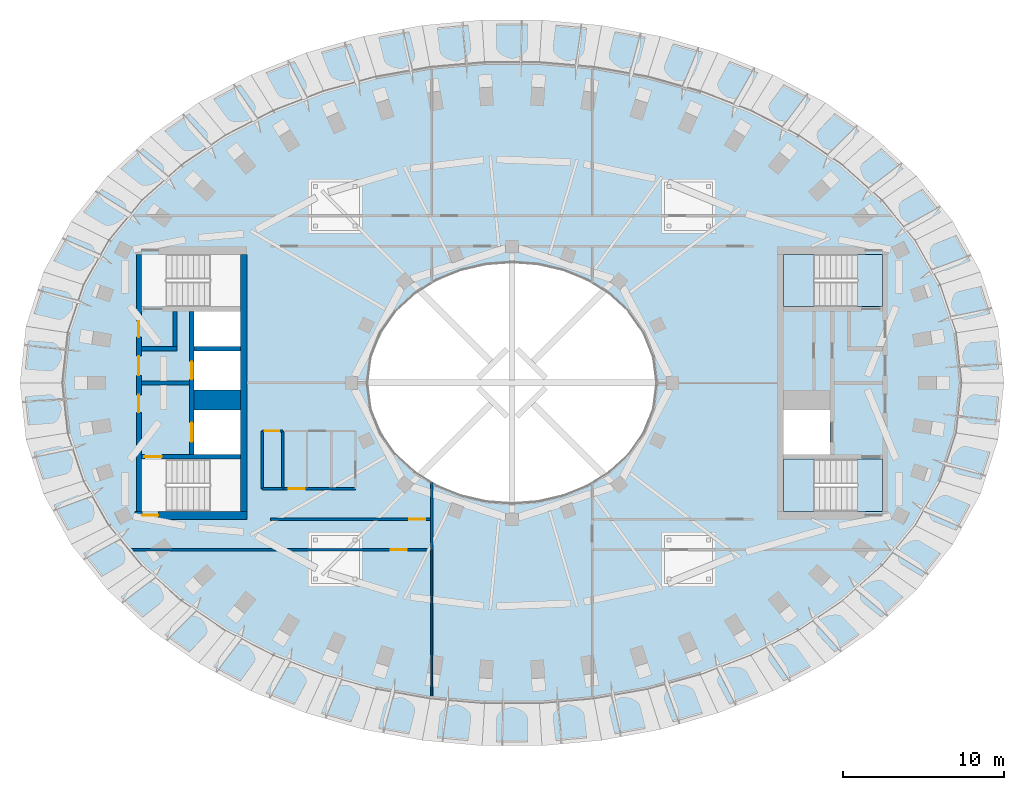
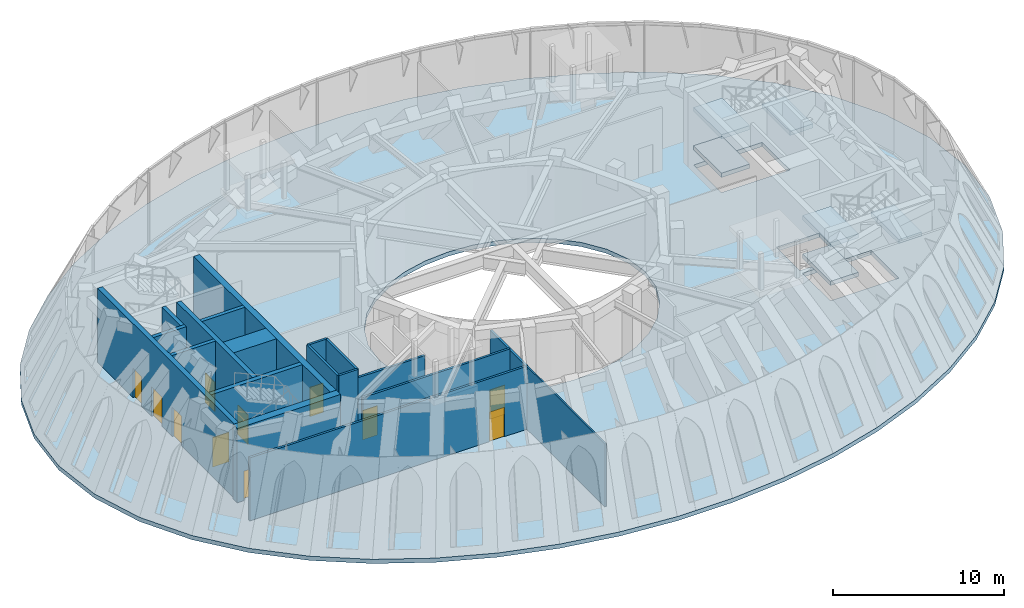
# One storey, part 3 of 13: 19 walls, 11 doors, 7 slabs, 11 openings, 2 elements without a shape of their own.
"""IFC4 building model written with IfcOpenShell, lengths in metres."""

from ifc_helpers import new_model, si_unit, direction, frame, frame_2d, origin, place, context, subcontext, project, spatial, polyline, rectangle, outline, extrude, material, layer, layer_set, type_object, element, fill, aggregate, save


model = new_model("IFC4")

# Units and contexts
model_context = context("Model", 3, precision=1e-05, world=origin(), true_north=direction((0.0, 1.0)))
body_context = subcontext(model_context, "Body", "Model", "MODEL_VIEW")
ifc_project = project(units=[si_unit("LENGTHUNIT", "METRE"), si_unit("AREAUNIT", "SQUARE_METRE"), si_unit("VOLUMEUNIT", "CUBIC_METRE"), si_unit("PLANEANGLEUNIT", "RADIAN"), si_unit("MASSUNIT", "GRAM", prefix="KILO")], contexts=[model_context])

# Site, building, storey
site_placement = place(None, origin())
site = spatial("IfcSite", under=ifc_project, at=site_placement, CompositionType="ELEMENT")
building_placement = place(site_placement, origin())
building = spatial("IfcBuilding", under=site, at=building_placement, Name="Noorbagh Ring Tower", CompositionType="ELEMENT")
storey_placement = place(building_placement, frame((0.0, 0.0, 351.0)))
storey = spatial("IfcBuildingStorey", under=building, at=storey_placement, Name="L77", CompositionType="ELEMENT", Elevation=351.0)

# Stair, slabs
ifc_material_1 = material(Name="Concrete C40/50", Category="concrete")
stair_type = type_object("IfcStairType", Name="CORE-STAIR", PredefinedType="HALF_TURN_STAIR", material=ifc_material_1)
stair_1_placement = place(storey_placement, origin())
stair_1 = element("IfcStair", 1, at=stair_1_placement, inside=storey, type_object=stair_type, Name="L77 Exit stair ST3", PredefinedType="HALF_TURN_STAIR")
ifc_material_2 = material(Name="Concrete C40/50", Category="concrete")
ifc_layer_1 = layer(ifc_material_2, 0.300048828125)
ifc_layer_set_1 = layer_set([ifc_layer_1], Name="Concrete C40/50")
slab_type_1 = type_object("IfcSlabType", Name="CORE-STAIR-LANDING", PredefinedType="LANDING", material=ifc_layer_set_1)
slab_1_placement = place(storey_placement, frame((0.0, 0.0, 1.074951171875)))
slab_1 = element("IfcSlab", 2, at=slab_1_placement, type_object=slab_type_1, Name="ST3 landing 1", PredefinedType="LANDING", context=body_context, shape_type="SweptSolid", body=[
    extrude(outline(polyline([(18.81005859375, 8.0), (16.89990234375, 8.0), (16.89990234375, 4.75), (18.81005859375, 4.75), (18.81005859375, 8.0)])), origin(), (0.0, 0.0, 1.0), 0.300048828125),
])
slab_2_placement = place(storey_placement, frame((0.0, 0.0, 2.449951171875)))
slab_2 = element("IfcSlab", 3, at=slab_2_placement, type_object=slab_type_1, Name="ST3 landing 2", PredefinedType="LANDING", context=body_context, shape_type="SweptSolid", body=[
    extrude(outline(polyline([(23.080078125, 8.0), (21.530029296875, 8.0), (21.530029296875, 4.75), (23.080078125, 4.75), (23.080078125, 8.0)])), origin(), (0.0, 0.0, 1.0), 0.300048828125),
])
slab_3_placement = place(storey_placement, frame((0.0, 0.0, 3.824951171875)))
slab_3 = element("IfcSlab", 4, at=slab_3_placement, type_object=slab_type_1, Name="ST3 landing 3", PredefinedType="LANDING", context=body_context, shape_type="SweptSolid", body=[
    extrude(outline(polyline([(18.81005859375, 8.0), (16.89990234375, 8.0), (16.89990234375, 4.75), (18.81005859375, 4.75), (18.81005859375, 8.0)])), origin(), (0.0, 0.0, 1.0), 0.300048828125),
])
aggregate(stair_1, [slab_1, slab_2, slab_3])

stair_2_placement = place(storey_placement, origin())
stair_2 = element("IfcStair", 5, at=stair_2_placement, inside=storey, type_object=stair_type, Name="L77 Exit stair ST4", PredefinedType="HALF_TURN_STAIR")
slab_4_placement = place(storey_placement, frame((0.0, 0.0, 1.074951171875)))
slab_4 = element("IfcSlab", 6, at=slab_4_placement, type_object=slab_type_1, Name="ST4 landing 1", PredefinedType="LANDING", context=body_context, shape_type="SweptSolid", body=[
    extrude(outline(polyline([(18.81005859375, -4.75), (16.89990234375, -4.75), (16.89990234375, -8.0), (18.81005859375, -8.0), (18.81005859375, -4.75)])), origin(), (0.0, 0.0, 1.0), 0.300048828125),
])
slab_5_placement = place(storey_placement, frame((0.0, 0.0, 2.449951171875)))
slab_5 = element("IfcSlab", 7, at=slab_5_placement, type_object=slab_type_1, Name="ST4 landing 2", PredefinedType="LANDING", context=body_context, shape_type="SweptSolid", body=[
    extrude(outline(polyline([(23.080078125, -4.75), (21.530029296875, -4.75), (21.530029296875, -8.0), (23.080078125, -8.0), (23.080078125, -4.75)])), origin(), (0.0, 0.0, 1.0), 0.300048828125),
])
slab_6_placement = place(storey_placement, frame((0.0, 0.0, 3.824951171875)))
slab_6 = element("IfcSlab", 8, at=slab_6_placement, type_object=slab_type_1, Name="ST4 landing 3", PredefinedType="LANDING", context=body_context, shape_type="SweptSolid", body=[
    extrude(outline(polyline([(18.81005859375, -4.75), (16.89990234375, -4.75), (16.89990234375, -8.0), (18.81005859375, -8.0), (18.81005859375, -4.75)])), origin(), (0.0, 0.0, 1.0), 0.300048828125),
])
aggregate(stair_2, [slab_4, slab_5, slab_6])

# Slab
ifc_material_3 = material(Name="Concrete C40/50", Category="concrete")
ifc_layer_2 = layer(ifc_material_3, 0.300048828125)
ifc_layer_set_2 = layer_set([ifc_layer_2], Name="Concrete C40/50")
slab_type_2 = type_object("IfcSlabType", Name="STR-FLOOR-DECK-300", PredefinedType="FLOOR", material=ifc_layer_set_2)
slab_7_placement = place(storey_placement, frame((0.0, 0.0, -0.300048828125)))
element("IfcSlab", 9, at=slab_7_placement, inside=storey, type_object=slab_type_2, Name="L77/slab/1", PredefinedType="FLOOR", context=body_context, shape_type="SweptSolid", body=[
    extrude(outline(polyline([(30.64111328125, 0.0), (30.267578125, 3.5244140625), (29.177978515625, 6.91259765625), (27.45361328125, 10.054931640625), (25.2001953125, 12.879638671875), (22.523681640625, 15.35009765625), (19.518798828125, 17.452880859375), (16.263671875, 19.1884765625), (12.82275390625, 20.563232421875), (9.247802734375, 21.585205078125), (5.583251953125, 22.261962890625), (1.86669921875, 22.598876953125), (-1.86669921875, 22.598876953125), (-5.583251953125, 22.261962890625), (-9.247802734375, 21.585205078125), (-12.82275390625, 20.563232421875), (-16.263671875, 19.1884765625), (-19.518798828125, 17.452880859375), (-22.523681640625, 15.35009765625), (-25.2001953125, 12.879638671875), (-27.45361328125, 10.054931640625), (-29.177978515625, 6.91259765625), (-30.267578125, 3.5244140625), (-30.64111328125, 0.0), (-30.267578125, -3.5244140625), (-29.177978515625, -6.91259765625), (-27.45361328125, -10.054931640625), (-25.2001953125, -12.879638671875), (-22.523681640625, -15.35009765625), (-19.518798828125, -17.452880859375), (-16.263671875, -19.1884765625), (-12.82275390625, -20.563232421875), (-9.247802734375, -21.585205078125), (-5.583251953125, -22.261962890625), (-1.86669921875, -22.598876953125), (1.86669921875, -22.598876953125), (5.583251953125, -22.261962890625), (9.247802734375, -21.585205078125), (12.82275390625, -20.563232421875), (16.263671875, -19.1884765625), (19.518798828125, -17.452880859375), (22.523681640625, -15.35009765625), (25.2001953125, -12.879638671875), (27.45361328125, -10.054931640625), (29.177978515625, -6.91259765625), (30.267578125, -3.5244140625), (30.64111328125, 0.0)]), holes=[polyline([(21.529541015625, -4.75), (21.529541015625, -8.0), (16.89990234375, -8.0), (16.89990234375, -4.75), (21.529541015625, -4.75)]), polyline([(21.529541015625, 4.75), (16.89990234375, 4.75), (16.89990234375, 8.0), (21.529541015625, 8.0), (21.529541015625, 4.75)]), polyline([(16.89990234375, -4.449951171875), (16.89990234375, -1.699951171875), (19.800048828125, -1.699951171875), (19.800048828125, -4.449951171875), (16.89990234375, -4.449951171875)]), polyline([(6.071044921875, -5.53662109375), (4.697509765625, -6.3974609375), (3.196533203125, -7.010986328125), (1.6171875, -7.3779296875), (0.0, -7.5), (-1.6171875, -7.3779296875), (-3.196533203125, -7.010986328125), (-4.697509765625, -6.3974609375), (-6.071044921875, -5.53662109375), (-7.2587890625, -4.43408203125), (-8.1904296875, -3.10888671875), (-8.79150390625, -1.605224609375), (-9.0, 0.0), (-8.79150390625, 1.605224609375), (-8.1904296875, 3.10888671875), (-7.2587890625, 4.43408203125), (-6.071044921875, 5.53662109375), (-4.697509765625, 6.3974609375), (-3.196533203125, 7.010986328125), (-1.6171875, 7.3779296875), (0.0, 7.5), (1.6171875, 7.3779296875), (3.196533203125, 7.010986328125), (4.697509765625, 6.3974609375), (6.071044921875, 5.53662109375), (7.2587890625, 4.43408203125), (8.1904296875, 3.10888671875), (8.79150390625, 1.605224609375), (9.0, 0.0), (8.79150390625, -1.605224609375), (8.1904296875, -3.10888671875), (7.2587890625, -4.43408203125), (6.071044921875, -5.53662109375)]), polyline([(-21.529541015625, -8.0), (-21.529541015625, -4.75), (-16.89990234375, -4.75), (-16.89990234375, -8.0), (-21.529541015625, -8.0)]), polyline([(-21.529541015625, 8.0), (-16.89990234375, 8.0), (-16.89990234375, 4.75), (-21.529541015625, 4.75), (-21.529541015625, 8.0)]), polyline([(-16.89990234375, -1.699951171875), (-16.89990234375, -4.449951171875), (-19.800048828125, -4.449951171875), (-19.800048828125, -1.699951171875), (-16.89990234375, -1.699951171875)]), polyline([(-16.89990234375, 2.0), (-16.89990234375, -0.449951171875), (-19.800048828125, -0.449951171875), (-19.800048828125, 2.0), (-16.89990234375, 2.0)]), polyline([(-16.89990234375, 4.449951171875), (-16.89990234375, 2.25), (-19.800048828125, 2.25), (-19.800048828125, 4.449951171875), (-16.89990234375, 4.449951171875)])]), origin(), (0.0, 0.0, 1.0), 0.300048828125),
])

# Walls
ifc_material_4 = material(Name="Gypsum board on steel studs", Category="steel")
ifc_layer_3 = layer(ifc_material_4, 0.14990234375)
ifc_layer_set_3 = layer_set([ifc_layer_3], Name="Gypsum board on steel studs")
wall_type_1 = type_object("IfcWallType", Name="COMPARTMENT PARTITION 150 EI 60", PredefinedType="PARTITIONING", material=ifc_layer_set_3)
wall_1_placement = place(storey_placement, frame((-15.549072265625, -6.60009765625, 0.0), z_axis=(0.0, 0.0, 1.0), x_axis=(0.0, 1.0, 0.0)))
element("IfcWall", 10, at=wall_1_placement, inside=storey, type_object=wall_type_1, Name="L77/wall/P04", PredefinedType="PARTITIONING", context=body_context, shape_type="SweptSolid", body=[
    extrude(rectangle(XDim=3.59619140625, YDim=0.14990234375, at=frame_2d((1.798095703125, 0.0))), origin(), (0.0, 0.0, 1.0), 5.199951171875),
])
wall_2_placement = place(storey_placement, frame((-15.549072265625, -6.60009765625, 0.0), z_axis=(0.0, 0.0, 1.0), x_axis=(1.0, 0.0, 0.0)))
element("IfcWall", 11, at=wall_2_placement, inside=storey, type_object=wall_type_1, Name="L77/wall/P05", PredefinedType="PARTITIONING", context=body_context, shape_type="SweptSolid", body=[
    extrude(rectangle(XDim=1.276123046875, YDim=0.14990234375, at=frame_2d((0.63818359375, 0.0))), origin(), (0.0, 0.0, 1.0), 5.199951171875),
])

# Wall, opening, door
wall_3_placement = place(storey_placement, frame((-15.544921875, -3.0, 0.0), z_axis=(0.0, 0.0, 1.0), x_axis=(1.0, 0.0, 0.0)))
wall_3 = element("IfcWall", 12, at=wall_3_placement, inside=storey, type_object=wall_type_1, Name="L77/wall/P06", PredefinedType="PARTITIONING", context=body_context, shape_type="SweptSolid", body=[
    extrude(rectangle(XDim=1.27197265625, YDim=0.14990234375, at=frame_2d((0.635986328125, 0.0))), origin(), (0.0, 0.0, 1.0), 5.199951171875),
])
opening_1_placement = place(wall_3_placement, frame((0.14990234375, 0.0, 0.0)))
opening_1 = element("IfcOpeningElement", 13, at=opening_1_placement, cuts=wall_3, Name="Opening D4", PredefinedType="OPENING", context=body_context, shape_type="SweptSolid", body=[
    extrude(rectangle(XDim=0.89990234375, YDim=2.10009765625, at=frame_2d((0.449951171875, 1.050048828125))), frame((0.0, 0.0849609375, 0.0), z_axis=(0.0, -1.0, 0.0), x_axis=(1.0, 0.0, 0.0)), (0.0, 0.0, 1.0), 0.169921875),
])
ifc_material_5 = material(Name="Timber, painted", Category="wood")
door_type_1 = type_object("IfcDoorType", Name="DOOR 900 X 2100 FD60", OperationType="SINGLE_SWING_LEFT", PredefinedType="DOOR", material=ifc_material_5)
door_1_placement = place(opening_1_placement, origin())
door_1 = element("IfcDoor", 14, at=door_1_placement, inside=storey, type_object=door_type_1, Name="L77-D05", OperationType="SINGLE_SWING_LEFT", OverallHeight=2.10009765625, OverallWidth=0.89990234375, PredefinedType="DOOR", context=body_context, shape_type="SweptSolid", body=[
    extrude(rectangle(XDim=0.89990234375, YDim=2.10009765625, at=frame_2d((0.449951171875, 1.050048828125))), frame((0.0, 0.02490234375, 0.0), z_axis=(0.0, -1.0, 0.0), x_axis=(1.0, 0.0, 0.0)), (0.0, 0.0, 1.0), 0.050048828125),
])
fill(opening_1, door_1)

# Walls
wall_4_placement = place(storey_placement, frame((-14.27294921875, -6.60009765625, 0.0), z_axis=(0.0, 0.0, 1.0), x_axis=(0.0, 1.0, 0.0)))
element("IfcWall", 15, at=wall_4_placement, inside=storey, type_object=wall_type_1, Name="L77/wall/P09", PredefinedType="PARTITIONING", context=body_context, shape_type="SweptSolid", body=[
    extrude(rectangle(XDim=3.60009765625, YDim=0.14990234375, at=frame_2d((1.800048828125, 0.0))), origin(), (0.0, 0.0, 1.0), 5.199951171875),
])
ifc_material_6 = material(Name="Concrete C50/60", Category="concrete")
ifc_layer_4 = layer(ifc_material_6, 1.25)
ifc_layer_set_4 = layer_set([ifc_layer_4], Name="Concrete C50/60")
wall_type_2 = type_object("IfcWallType", Name="CORE-WALL-1250-C50-60-EI120", PredefinedType="SHEAR", material=ifc_layer_set_4)
wall_5_placement = place(storey_placement, frame((-16.89990234375, -1.074951171875, 0.0), z_axis=(0.0, 0.0, 1.0), x_axis=(-1.0, 0.0, 0.0)))
element("IfcWall", 16, at=wall_5_placement, inside=storey, type_object=wall_type_2, Name="Core wall W", PredefinedType="SHEAR", context=body_context, shape_type="SweptSolid", body=[
    extrude(rectangle(XDim=2.900146484375, YDim=1.25, at=frame_2d((1.4501953125, 0.0))), origin(), (0.0, 0.0, 1.0), 5.300048828125),
])
ifc_material_7 = material(Name="Concrete C50/60", Category="concrete")
ifc_layer_5 = layer(ifc_material_7, 0.25)
ifc_layer_set_5 = layer_set([ifc_layer_5], Name="Concrete C50/60")
wall_type_3 = type_object("IfcWallType", Name="CORE-WALL-250-C50-60-EI120", PredefinedType="SHEAR", material=ifc_layer_set_5)
wall_6_placement = place(storey_placement, frame((-16.89990234375, 2.125, 0.0), z_axis=(0.0, 0.0, 1.0), x_axis=(-1.0, 0.0, 0.0)))
element("IfcWall", 17, at=wall_6_placement, inside=storey, type_object=wall_type_3, Name="Core wall W", PredefinedType="SHEAR", context=body_context, shape_type="SweptSolid", body=[
    extrude(rectangle(XDim=2.900146484375, YDim=0.25, at=frame_2d((1.4501953125, 0.0))), origin(), (0.0, 0.0, 1.0), 5.300048828125),
])
ifc_material_8 = material(Name="Concrete C50/60", Category="concrete")
ifc_layer_6 = layer(ifc_material_8, 0.25)
ifc_layer_set_6 = layer_set([ifc_layer_6], Name="Concrete C50/60")
wall_type_4 = type_object("IfcWallType", Name="CORE-WALL-250-C50-60-EI240", PredefinedType="SHEAR", material=ifc_layer_set_6)
wall_7_placement = place(storey_placement, frame((-20.10009765625, 0.0, 0.0), z_axis=(0.0, 0.0, 1.0), x_axis=(-1.0, 0.0, 0.0)))
element("IfcWall", 18, at=wall_7_placement, inside=storey, type_object=wall_type_4, Name="Core wall W", PredefinedType="SHEAR", context=body_context, shape_type="SweptSolid", body=[
    extrude(rectangle(XDim=2.97998046875, YDim=0.25, at=frame_2d((1.489990234375, 0.0))), origin(), (0.0, 0.0, 1.0), 5.300048828125),
])
wall_8_placement = place(storey_placement, frame((-20.85009765625, 2.125, 0.0), z_axis=(0.0, 0.0, 1.0), x_axis=(-1.0, 0.0, 0.0)))
element("IfcWall", 19, at=wall_8_placement, inside=storey, type_object=wall_type_4, Name="Core wall W", PredefinedType="SHEAR", context=body_context, shape_type="SweptSolid", body=[
    extrude(rectangle(XDim=2.22998046875, YDim=0.25, at=frame_2d((1.114990234375, 0.0))), origin(), (0.0, 0.0, 1.0), 5.300048828125),
])
wall_9_placement = place(storey_placement, frame((-20.97509765625, 2.25, 0.0), z_axis=(0.0, 0.0, 1.0), x_axis=(0.0, 1.0, 0.0)))
element("IfcWall", 20, at=wall_9_placement, inside=storey, type_object=wall_type_4, Name="Core wall W", PredefinedType="SHEAR", context=body_context, shape_type="SweptSolid", body=[
    extrude(rectangle(XDim=2.199951171875, YDim=0.25, at=frame_2d((1.10009765625, 0.0))), origin(), (0.0, 0.0, 1.0), 5.300048828125),
])

# Wall, openings, doors
ifc_material_9 = material(Name="Concrete C50/60", Category="concrete")
ifc_layer_7 = layer(ifc_material_9, 0.300048828125)
ifc_layer_set_7 = layer_set([ifc_layer_7], Name="Concrete C50/60")
wall_type_5 = type_object("IfcWallType", Name="CORE-WALL-300-C50-60-EI120", PredefinedType="SHEAR", material=ifc_layer_set_7)
wall_10_placement = place(storey_placement, frame((-19.949951171875, -4.449951171875, 0.0), z_axis=(0.0, 0.0, 1.0), x_axis=(0.0, 1.0, 0.0)))
wall_10 = element("IfcWall", 21, at=wall_10_placement, inside=storey, type_object=wall_type_5, Name="Core wall W", PredefinedType="SHEAR", context=body_context, shape_type="SweptSolid", body=[
    extrude(rectangle(XDim=8.89990234375, YDim=0.300048828125, at=frame_2d((4.449951171875, 0.0))), origin(), (0.0, 0.0, 1.0), 5.300048828125),
])
opening_2_placement = place(wall_10_placement, frame((0.77490234375, 0.0, 0.0)))
opening_2 = element("IfcOpeningElement", 22, at=opening_2_placement, cuts=wall_10, Name="Opening L77-CW01", PredefinedType="OPENING", context=body_context, shape_type="SweptSolid", body=[
    extrude(rectangle(XDim=1.199951171875, YDim=2.10009765625, at=frame_2d((0.60009765625, 1.050048828125))), frame((0.0, 0.16015625, 0.0), z_axis=(0.0, -1.0, 0.0), x_axis=(1.0, 0.0, 0.0)), (0.0, 0.0, 1.0), 0.320068359375),
])
opening_3_placement = place(wall_10_placement, frame((4.675048828125, 0.0, 0.0)))
opening_3 = element("IfcOpeningElement", 23, at=opening_3_placement, cuts=wall_10, Name="Opening L77-CW02", PredefinedType="OPENING", context=body_context, shape_type="SweptSolid", body=[
    extrude(rectangle(XDim=1.10009765625, YDim=2.10009765625, at=frame_2d((0.550048828125, 1.050048828125))), frame((0.0, 0.16015625, 0.0), z_axis=(0.0, -1.0, 0.0), x_axis=(1.0, 0.0, 0.0)), (0.0, 0.0, 1.0), 0.320068359375),
])
ifc_material_10 = material(Name="Steel door leaf", Category="steel")
door_type_2 = type_object("IfcDoorType", Name="CORE-DOOR-LD", OperationType="DOUBLE_DOOR_SLIDING", PredefinedType="DOOR", material=ifc_material_10)
door_2_placement = place(opening_3_placement, origin())
door_2 = element("IfcDoor", 24, at=door_2_placement, inside=storey, type_object=door_type_2, Name="Landing door OB1 L77-CW02", OperationType="DOUBLE_DOOR_SLIDING", OverallHeight=2.10009765625, OverallWidth=1.10009765625, PredefinedType="DOOR", context=body_context, shape_type="SweptSolid", body=[
    extrude(rectangle(XDim=1.10009765625, YDim=2.10009765625, at=frame_2d((0.550048828125, 1.050048828125))), frame((0.0, 0.02490234375, 0.0), z_axis=(0.0, -1.0, 0.0), x_axis=(1.0, 0.0, 0.0)), (0.0, 0.0, 1.0), 0.050048828125),
])
fill(opening_3, door_2)
ifc_material_11 = material(Name="Steel door leaf", Category="steel")
door_type_3 = type_object("IfcDoorType", Name="CORE-DOOR-LDW", OperationType="DOUBLE_DOOR_SLIDING", PredefinedType="DOOR", material=ifc_material_11)
door_3_placement = place(opening_2_placement, origin())
door_3 = element("IfcDoor", 25, at=door_3_placement, inside=storey, type_object=door_type_3, Name="Landing door FF1 L77-CW01", OperationType="DOUBLE_DOOR_SLIDING", OverallHeight=2.10009765625, OverallWidth=1.199951171875, PredefinedType="DOOR", context=body_context, shape_type="SweptSolid", body=[
    extrude(rectangle(XDim=1.199951171875, YDim=2.10009765625, at=frame_2d((0.60009765625, 1.050048828125))), frame((0.0, 0.02490234375, 0.0), z_axis=(0.0, -1.0, 0.0), x_axis=(1.0, 0.0, 0.0)), (0.0, 0.0, 1.0), 0.050048828125),
])
fill(opening_2, door_3)

# Wall, opening, door
ifc_material_12 = material(Name="Concrete C50/60", Category="concrete")
ifc_layer_8 = layer(ifc_material_12, 0.300048828125)
ifc_layer_set_8 = layer_set([ifc_layer_8], Name="Concrete C50/60")
wall_type_6 = type_object("IfcWallType", Name="CORE-WALL-300-C50-60-EI240", PredefinedType="SHEAR", material=ifc_layer_set_8)
wall_11_placement = place(storey_placement, frame((-16.89990234375, -4.60009765625, 0.0), z_axis=(0.0, 0.0, 1.0), x_axis=(-1.0, 0.0, 0.0)))
wall_11 = element("IfcWall", 26, at=wall_11_placement, inside=storey, type_object=wall_type_6, Name="Core wall W", PredefinedType="SHEAR", context=body_context, shape_type="SweptSolid", body=[
    extrude(rectangle(XDim=6.18017578125, YDim=0.300048828125, at=frame_2d((3.090087890625, 0.0))), origin(), (0.0, 0.0, 1.0), 5.300048828125),
])
opening_4_placement = place(wall_11_placement, frame((4.89990234375, 0.0, 0.0)))
opening_4 = element("IfcOpeningElement", 27, at=opening_4_placement, cuts=wall_11, Name="Opening L77-CW04", PredefinedType="OPENING", context=body_context, shape_type="SweptSolid", body=[
    extrude(rectangle(XDim=1.10009765625, YDim=2.10009765625, at=frame_2d((0.550048828125, 1.050048828125))), frame((0.0, 0.16015625, 0.0), z_axis=(0.0, -1.0, 0.0), x_axis=(1.0, 0.0, 0.0)), (0.0, 0.0, 1.0), 0.320068359375),
])
ifc_material_13 = material(Name="Steel door leaf", Category="steel")
door_type_4 = type_object("IfcDoorType", Name="CORE-DOOR-DSTAIR", OperationType="SINGLE_SWING_LEFT", PredefinedType="DOOR", material=ifc_material_13)
door_4_placement = place(opening_4_placement, origin())
door_4 = element("IfcDoor", 28, at=door_4_placement, inside=storey, type_object=door_type_4, Name="Stair door ST2 L77-CW04", OperationType="SINGLE_SWING_LEFT", OverallHeight=2.10009765625, OverallWidth=1.10009765625, PredefinedType="DOOR", context=body_context, shape_type="SweptSolid", body=[
    extrude(rectangle(XDim=1.10009765625, YDim=2.10009765625, at=frame_2d((0.550048828125, 1.050048828125))), frame((0.0, 0.02490234375, 0.0), z_axis=(0.0, -1.0, 0.0), x_axis=(1.0, 0.0, 0.0)), (0.0, 0.0, 1.0), 0.050048828125),
])
fill(opening_4, door_4)

# Wall, openings, doors
ifc_material_14 = material(Name="Concrete C50/60", Category="concrete")
ifc_layer_9 = layer(ifc_material_14, 0.320068359375)
ifc_layer_set_9 = layer_set([ifc_layer_9], Name="Concrete C50/60")
wall_type_7 = type_object("IfcWallType", Name="CORE-WALL-320-C50-60-EI240", PredefinedType="SHEAR", material=ifc_layer_set_9)
wall_12_placement = place(storey_placement, frame((-23.239990234375, -8.0, 0.0), z_axis=(0.0, 0.0, 1.0), x_axis=(0.0, 1.0, 0.0)))
wall_12 = element("IfcWall", 29, at=wall_12_placement, inside=storey, type_object=wall_type_7, Name="Core wall W", PredefinedType="SHEAR", context=body_context, shape_type="SweptSolid", body=[
    extrude(rectangle(XDim=16.0, YDim=0.320068359375, at=frame_2d((8.0, 0.0))), origin(), (0.0, 0.0, 1.0), 5.300048828125),
])
opening_5_placement = place(wall_12_placement, frame((6.159912109375, 0.0, 0.0)))
opening_5 = element("IfcOpeningElement", 30, at=opening_5_placement, cuts=wall_12, Name="Opening L77-CW05", PredefinedType="OPENING", context=body_context, shape_type="SweptSolid", body=[
    extrude(rectangle(XDim=1.10009765625, YDim=2.10009765625, at=frame_2d((0.550048828125, 1.050048828125))), frame((0.0, 0.169921875, 0.0), z_axis=(0.0, -1.0, 0.0), x_axis=(1.0, 0.0, 0.0)), (0.0, 0.0, 1.0), 0.340087890625),
])
opening_6_placement = place(wall_12_placement, frame((10.85009765625, 0.0, 0.0)))
opening_6 = element("IfcOpeningElement", 31, at=opening_6_placement, cuts=wall_12, Name="Opening L77-CW06", PredefinedType="OPENING", context=body_context, shape_type="SweptSolid", body=[
    extrude(rectangle(XDim=1.0, YDim=2.10009765625, at=frame_2d((0.5, 1.050048828125))), frame((0.0, 0.169921875, 0.0), z_axis=(0.0, -1.0, 0.0), x_axis=(1.0, 0.0, 0.0)), (0.0, 0.0, 1.0), 0.340087890625),
])
opening_7_placement = place(wall_12_placement, frame((8.4599609375, 0.0, 0.0)))
opening_7 = element("IfcOpeningElement", 32, at=opening_7_placement, cuts=wall_12, Name="Opening L77-CW07", PredefinedType="OPENING", context=body_context, shape_type="SweptSolid", body=[
    extrude(rectangle(XDim=1.199951171875, YDim=2.10009765625, at=frame_2d((0.60009765625, 1.050048828125))), frame((0.0, 0.169921875, 0.0), z_axis=(0.0, -1.0, 0.0), x_axis=(1.0, 0.0, 0.0)), (0.0, 0.0, 1.0), 0.340087890625),
])
ifc_material_15 = material(Name="Steel door leaf", Category="steel")
door_type_5 = type_object("IfcDoorType", Name="CORE-DOOR-DFF", OperationType="SINGLE_SWING_LEFT", PredefinedType="DOOR", material=ifc_material_15)
door_5_placement = place(opening_5_placement, origin())
door_5 = element("IfcDoor", 33, at=door_5_placement, inside=storey, type_object=door_type_5, Name="Firefighting lobby door L77-CW05", OperationType="SINGLE_SWING_RIGHT", OverallHeight=2.10009765625, OverallWidth=1.10009765625, PredefinedType="DOOR", context=body_context, shape_type="SweptSolid", body=[
    extrude(rectangle(XDim=1.10009765625, YDim=2.10009765625, at=frame_2d((0.550048828125, 1.050048828125))), frame((0.0, 0.02490234375, 0.0), z_axis=(0.0, -1.0, 0.0), x_axis=(1.0, 0.0, 0.0)), (0.0, 0.0, 1.0), 0.050048828125),
])
fill(opening_5, door_5)
ifc_material_16 = material(Name="Steel door leaf", Category="steel")
door_type_6 = type_object("IfcDoorType", Name="CORE-DOOR-DVEST", OperationType="SINGLE_SWING_LEFT", PredefinedType="DOOR", material=ifc_material_16)
door_6_placement = place(opening_6_placement, origin())
door_6 = element("IfcDoor", 34, at=door_6_placement, inside=storey, type_object=door_type_6, Name="Stair vestibule door L77-CW06", OperationType="SINGLE_SWING_LEFT", OverallHeight=2.10009765625, OverallWidth=1.0, PredefinedType="DOOR", context=body_context, shape_type="SweptSolid", body=[
    extrude(rectangle(XDim=1.0, YDim=2.10009765625, at=frame_2d((0.5, 1.050048828125))), frame((0.0, 0.02490234375, 0.0), z_axis=(0.0, -1.0, 0.0), x_axis=(1.0, 0.0, 0.0)), (0.0, 0.0, 1.0), 0.050048828125),
])
fill(opening_6, door_6)
ifc_material_17 = material(Name="Steel door leaf", Category="steel")
door_type_7 = type_object("IfcDoorType", Name="CORE-DOOR-PORT", OperationType="DOUBLE_DOOR_DOUBLE_SWING", PredefinedType="DOOR", material=ifc_material_17)
door_7_placement = place(opening_7_placement, origin())
door_7 = element("IfcDoor", 35, at=door_7_placement, inside=storey, type_object=door_type_7, Name="Core entrance door L77-CW07", OperationType="DOUBLE_DOOR_DOUBLE_SWING", OverallHeight=2.10009765625, OverallWidth=1.199951171875, PredefinedType="DOOR", context=body_context, shape_type="SweptSolid", body=[
    extrude(rectangle(XDim=1.199951171875, YDim=2.10009765625, at=frame_2d((0.60009765625, 1.050048828125))), frame((0.0, 0.02490234375, 0.0), z_axis=(0.0, -1.0, 0.0), x_axis=(1.0, 0.0, 0.0)), (0.0, 0.0, 1.0), 0.050048828125),
])
fill(opening_7, door_7)

# Wall
ifc_material_18 = material(Name="Concrete C50/60", Category="concrete")
ifc_layer_10 = layer(ifc_material_18, 0.39990234375)
ifc_layer_set_10 = layer_set([ifc_layer_10], Name="Concrete C50/60")
wall_type_8 = type_object("IfcWallType", Name="CORE-WALL-400-C50-60-EI240", PredefinedType="SHEAR", material=ifc_layer_set_10)
wall_13_placement = place(storey_placement, frame((-16.699951171875, -8.0, 0.0), z_axis=(0.0, 0.0, 1.0), x_axis=(0.0, 1.0, 0.0)))
element("IfcWall", 36, at=wall_13_placement, inside=storey, type_object=wall_type_8, Name="Core wall W", PredefinedType="SHEAR", context=body_context, shape_type="SweptSolid", body=[
    extrude(rectangle(XDim=16.0, YDim=0.39990234375, at=frame_2d((8.0, 0.0))), origin(), (0.0, 0.0, 1.0), 5.300048828125),
])

# Wall, opening, door
ifc_material_19 = material(Name="Concrete C50/60", Category="concrete")
ifc_layer_11 = layer(ifc_material_19, 0.5)
ifc_layer_set_11 = layer_set([ifc_layer_11], Name="Concrete C50/60")
wall_type_9 = type_object("IfcWallType", Name="CORE-WALL-500-C50-60-EI240", PredefinedType="SHEAR", material=ifc_layer_set_11)
wall_14_placement = place(storey_placement, frame((-16.5, -8.25, 0.0), z_axis=(0.0, 0.0, 1.0), x_axis=(-1.0, 0.0, 0.0)))
wall_14 = element("IfcWall", 37, at=wall_14_placement, inside=storey, type_object=wall_type_9, Name="Core wall W", PredefinedType="SHEAR", context=body_context, shape_type="SweptSolid", body=[
    extrude(rectangle(XDim=6.9814453125, YDim=0.5, at=frame_2d((3.49072265625, 0.0))), origin(), (0.0, 0.0, 1.0), 5.300048828125),
])
opening_8_placement = place(wall_14_placement, frame((5.530029296875, 0.0, 0.0)))
opening_8 = element("IfcOpeningElement", 38, at=opening_8_placement, cuts=wall_14, Name="Opening L77-CW09", PredefinedType="OPENING", context=body_context, shape_type="SweptSolid", body=[
    extrude(rectangle(XDim=1.0, YDim=2.10009765625, at=frame_2d((0.5, 1.050048828125))), frame((0.0, 0.260009765625, 0.0), z_axis=(0.0, -1.0, 0.0), x_axis=(1.0, 0.0, 0.0)), (0.0, 0.0, 1.0), 0.52001953125),
])
ifc_material_20 = material(Name="Steel door leaf", Category="steel")
door_type_8 = type_object("IfcDoorType", Name="CORE-DOOR-DFLANK", OperationType="SINGLE_SWING_LEFT", PredefinedType="DOOR", material=ifc_material_20)
door_8_placement = place(opening_8_placement, origin())
door_8 = element("IfcDoor", 39, at=door_8_placement, inside=storey, type_object=door_type_8, Name="Stair door ST2 (floor side) L77-CW09", OperationType="SINGLE_SWING_RIGHT", OverallHeight=2.10009765625, OverallWidth=1.0, PredefinedType="DOOR", context=body_context, shape_type="SweptSolid", body=[
    extrude(rectangle(XDim=1.0, YDim=2.10009765625, at=frame_2d((0.5, 1.050048828125))), frame((0.0, 0.02490234375, 0.0), z_axis=(0.0, -1.0, 0.0), x_axis=(1.0, 0.0, 0.0)), (0.0, 0.0, 1.0), 0.050048828125),
])
fill(opening_8, door_8)

ifc_material_21 = material(Name="Gypsum board on steel studs", Category="steel")
ifc_layer_12 = layer(ifc_material_21, 0.14990234375)
ifc_layer_set_12 = layer_set([ifc_layer_12], Name="Gypsum board on steel studs")
wall_type_10 = type_object("IfcWallType", Name="CORRIDOR PARTITION 150 EI 30", PredefinedType="PARTITIONING", material=ifc_layer_set_12)
wall_15_placement = place(storey_placement, frame((-23.77001953125, -10.39990234375, 0.0), z_axis=(0.0, 0.0, 1.0), x_axis=(1.0, 0.0, 0.0)))
wall_15 = element("IfcWall", 40, at=wall_15_placement, inside=storey, type_object=wall_type_10, Name="L77/wall/P01", PredefinedType="PARTITIONING", context=body_context, shape_type="SweptSolid", body=[
    extrude(rectangle(XDim=18.77001953125, YDim=0.14990234375, at=frame_2d((9.385009765625, 0.0))), origin(), (0.0, 0.0, 1.0), 4.5),
])
opening_9_placement = place(wall_15_placement, frame((16.215087890625, 0.0, 0.0)))
opening_9 = element("IfcOpeningElement", 41, at=opening_9_placement, cuts=wall_15, Name="Opening D1", PredefinedType="OPENING", context=body_context, shape_type="SweptSolid", body=[
    extrude(rectangle(XDim=1.0, YDim=2.10009765625, at=frame_2d((0.5, 1.050048828125))), frame((0.0, 0.0849609375, 0.0), z_axis=(0.0, -1.0, 0.0), x_axis=(1.0, 0.0, 0.0)), (0.0, 0.0, 1.0), 0.169921875),
])
ifc_material_22 = material(Name="Timber, painted", Category="wood")
door_type_9 = type_object("IfcDoorType", Name="DOOR 1000 X 2100 FD30", OperationType="SINGLE_SWING_LEFT", PredefinedType="DOOR", material=ifc_material_22)
door_9_placement = place(opening_9_placement, origin())
door_9 = element("IfcDoor", 42, at=door_9_placement, inside=storey, type_object=door_type_9, Name="L77-D06", OperationType="SINGLE_SWING_RIGHT", OverallHeight=2.10009765625, OverallWidth=1.0, PredefinedType="DOOR", context=body_context, shape_type="SweptSolid", body=[
    extrude(rectangle(XDim=1.0, YDim=2.10009765625, at=frame_2d((0.5, 1.050048828125))), frame((0.0, 0.02490234375, 0.0), z_axis=(0.0, -1.0, 0.0), x_axis=(1.0, 0.0, 0.0)), (0.0, 0.0, 1.0), 0.050048828125),
])
fill(opening_9, door_9)

wall_16_placement = place(storey_placement, frame((-15.035888671875, -8.5, 0.0), z_axis=(0.0, 0.0, 1.0), x_axis=(1.0, 0.0, 0.0)))
wall_16 = element("IfcWall", 43, at=wall_16_placement, inside=storey, type_object=wall_type_10, Name="L77/wall/P07", PredefinedType="PARTITIONING", context=body_context, shape_type="SweptSolid", body=[
    extrude(rectangle(XDim=9.9609375, YDim=0.14990234375, at=frame_2d((4.98046875, 0.0))), origin(), (0.0, 0.0, 1.0), 4.60009765625),
])
opening_10_placement = place(wall_16_placement, frame((8.635986328125, 0.0, 0.0)))
opening_10 = element("IfcOpeningElement", 44, at=opening_10_placement, cuts=wall_16, Name="Opening D1", PredefinedType="OPENING", context=body_context, shape_type="SweptSolid", body=[
    extrude(rectangle(XDim=1.0, YDim=2.10009765625, at=frame_2d((0.5, 1.050048828125))), frame((0.0, 0.0849609375, 0.0), z_axis=(0.0, -1.0, 0.0), x_axis=(1.0, 0.0, 0.0)), (0.0, 0.0, 1.0), 0.169921875),
])
door_10_placement = place(opening_10_placement, origin())
door_10 = element("IfcDoor", 45, at=door_10_placement, inside=storey, type_object=door_type_9, Name="L77-D01", OperationType="SINGLE_SWING_LEFT", OverallHeight=2.10009765625, OverallWidth=1.0, PredefinedType="DOOR", context=body_context, shape_type="SweptSolid", body=[
    extrude(rectangle(XDim=1.0, YDim=2.10009765625, at=frame_2d((0.5, 1.050048828125))), frame((0.0, 0.02490234375, 0.0), z_axis=(0.0, -1.0, 0.0), x_axis=(1.0, 0.0, 0.0)), (0.0, 0.0, 1.0), 0.050048828125),
])
fill(opening_10, door_10)

wall_17_placement = place(storey_placement, frame((-14.27294921875, -6.60009765625, 0.0), z_axis=(0.0, 0.0, 1.0), x_axis=(1.0, 0.0, 0.0)))
wall_17 = element("IfcWall", 46, at=wall_17_placement, inside=storey, type_object=wall_type_10, Name="L77/wall/P10", PredefinedType="PARTITIONING", context=body_context, shape_type="SweptSolid", body=[
    extrude(rectangle(XDim=4.52392578125, YDim=0.14990234375, at=frame_2d((2.261962890625, 0.0))), origin(), (0.0, 0.0, 1.0), 4.60009765625),
])
opening_11_placement = place(wall_17_placement, frame((0.35791015625, 0.0, 0.0)))
opening_11 = element("IfcOpeningElement", 47, at=opening_11_placement, cuts=wall_17, Name="Opening D3", PredefinedType="OPENING", context=body_context, shape_type="SweptSolid", body=[
    extrude(rectangle(XDim=1.0, YDim=2.10009765625, at=frame_2d((0.5, 1.050048828125))), frame((0.0, 0.0849609375, 0.0), z_axis=(0.0, -1.0, 0.0), x_axis=(1.0, 0.0, 0.0)), (0.0, 0.0, 1.0), 0.169921875),
])
ifc_material_23 = material(Name="Timber, painted", Category="wood")
door_type_10 = type_object("IfcDoorType", Name="DOOR 1000 X 2100 WC", OperationType="SINGLE_SWING_LEFT", PredefinedType="DOOR", material=ifc_material_23)
door_11_placement = place(opening_11_placement, origin())
door_11 = element("IfcDoor", 48, at=door_11_placement, inside=storey, type_object=door_type_10, Name="L77-D04", OperationType="SINGLE_SWING_RIGHT", OverallHeight=2.10009765625, OverallWidth=1.0, PredefinedType="DOOR", context=body_context, shape_type="SweptSolid", body=[
    extrude(rectangle(XDim=1.0, YDim=2.10009765625, at=frame_2d((0.5, 1.050048828125))), frame((0.0, 0.02490234375, 0.0), z_axis=(0.0, -1.0, 0.0), x_axis=(1.0, 0.0, 0.0)), (0.0, 0.0, 1.0), 0.050048828125),
])
fill(opening_11, door_11)

# Walls
wall_18_placement = place(storey_placement, frame((-5.0, -10.39990234375, 0.0), z_axis=(0.0, 0.0, 1.0), x_axis=(0.0, 1.0, 0.0)))
element("IfcWall", 49, at=wall_18_placement, inside=storey, type_object=wall_type_10, Name="L77/wall/P17", PredefinedType="PARTITIONING", context=body_context, shape_type="SweptSolid", body=[
    extrude(rectangle(XDim=4.18896484375, YDim=0.14990234375, at=frame_2d((2.094482421875, 0.0))), origin(), (0.0, 0.0, 1.0), 4.5),
])
ifc_material_24 = material(Name="Gypsum board on steel studs", Category="steel")
ifc_layer_13 = layer(ifc_material_24, 0.10009765625)
ifc_layer_set_13 = layer_set([ifc_layer_13], Name="Gypsum board on steel studs")
wall_type_11 = type_object("IfcWallType", Name="PARTITION 100 GYPSUM", PredefinedType="PARTITIONING", material=ifc_layer_set_13)
wall_19_placement = place(storey_placement, frame((-5.0, -19.6201171875, 0.0), z_axis=(0.0, 0.0, 1.0), x_axis=(0.0, 1.0, 0.0)))
element("IfcWall", 50, at=wall_19_placement, inside=storey, type_object=wall_type_11, Name="L77/wall/P16", PredefinedType="PARTITIONING", context=body_context, shape_type="SweptSolid", body=[
    extrude(rectangle(XDim=9.22021484375, YDim=0.10009765625, at=frame_2d((4.610107421875, 0.0))), origin(), (0.0, 0.0, 1.0), 4.5),
])

save(model, "model.ifc")
